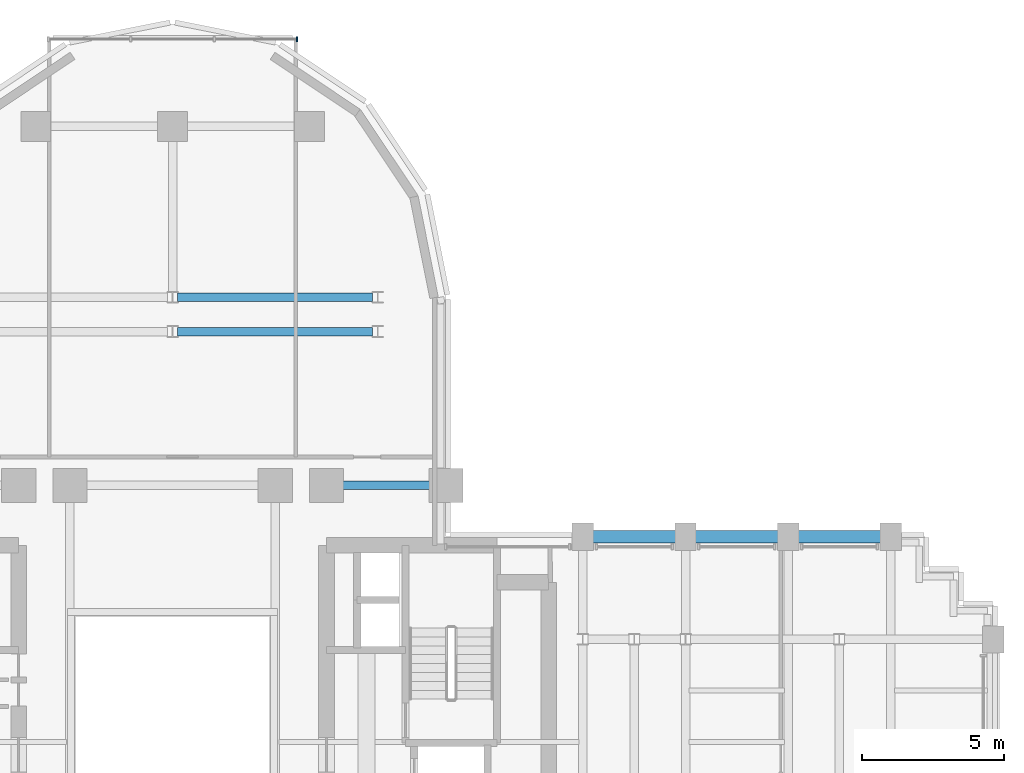
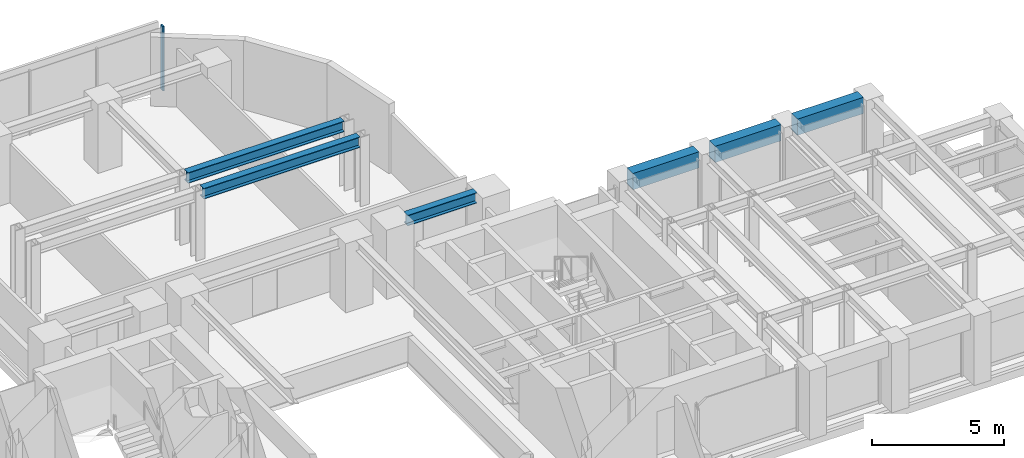
# One storey, part 8 of 16: 6 beams, 1 member, 1 element without a shape of its own.
"""IFC4 building model written with IfcOpenShell, lengths in metres."""

from ifc_helpers import new_model, si_unit, direction, frame, origin, origin_2d, place, context, subcontext, project, spatial, rectangle, i_section, extrude, source, transform, mapped, material, material_profile, profile_set, type_object, element, aggregate, save


model = new_model("IFC4")

# Units and contexts
model_context = context("Model", 3, precision=1e-05, world=origin(), true_north=direction((0.0, 1.0)))
body_context = subcontext(model_context, "Body", "Model", "MODEL_VIEW")
ifc_project = project(units=[si_unit("LENGTHUNIT", "METRE"), si_unit("AREAUNIT", "SQUARE_METRE"), si_unit("VOLUMEUNIT", "CUBIC_METRE"), si_unit("PLANEANGLEUNIT", "RADIAN"), si_unit("MASSUNIT", "GRAM", prefix="KILO")], contexts=[model_context])

# Site, building, storey
site_placement = place(None, origin())
site = spatial("IfcSite", under=ifc_project, at=site_placement, CompositionType="ELEMENT")
building_placement = place(site_placement, origin())
building = spatial("IfcBuilding", under=site, at=building_placement, Name="Keilestroom Media Tower", CompositionType="ELEMENT")
storey_placement = place(building_placement, frame((0.0, 0.0, 81.60009765625)))
storey = spatial("IfcBuildingStorey", under=building, at=storey_placement, Name="L21", CompositionType="ELEMENT", Elevation=81.60009765625)

# Beams
ifc_material_1 = material(Name="Precast concrete C40/50", Category="concrete")
ifc_material_profile_1 = material_profile(ifc_material_1, rectangle(XDim=0.449951171875, YDim=0.75, at=origin_2d()), Name="PC 450x750")
ifc_profile_set_1 = profile_set([ifc_material_profile_1], Name="Precast concrete C40/50")
beam_type_1 = type_object("IfcBeamType", Name="Perimeter-Spandrel-Beam-PC-450x750", PredefinedType="SPANDREL", material=ifc_profile_set_1)
shared_shape_1 = source(origin(), body_context, "Body", "SweptSolid", [
    extrude(rectangle(XDim=0.449951171875, YDim=0.75, at=origin_2d()), origin(), (0.0, 0.0, 1.0), 2.889892578125),
])
beam_1_placement = place(storey_placement, frame((21.955078125, 7.199951171875, 2.824951171875), z_axis=(1.0, 0.0, 0.0), x_axis=(0.0, 1.0, 0.0)))
element("IfcBeam", 1, at=beam_1_placement, inside=storey, type_object=beam_type_1, Name="L21 Beam SPB-1 BM-L21-EW-039", PredefinedType="SPANDREL", context=body_context, shape_type="MappedRepresentation", body=[
    mapped(shared_shape_1, transform((0.0, 0.0, 0.0), x_axis=(1.0, 0.0, 0.0), y_axis=(0.0, 1.0, 0.0), z_axis=(0.0, 0.0, 1.0), scale=1.0)),
])
shared_shape_2 = source(origin(), body_context, "Body", "SweptSolid", [
    extrude(rectangle(XDim=0.449951171875, YDim=0.75, at=origin_2d()), origin(), (0.0, 0.0, 1.0), 2.89013671875),
])
for number, where, z_axis, x_axis, name in (
    (2, (14.7548828125, 7.199951171875, 2.824951171875), (1.0, 0.0, 0.0), (0.0, 1.0, 0.0), "L21 Beam SPB-1 BM-L21-EW-037"),
    (3, (18.35498046875, 7.199951171875, 2.824951171875), (1.0, 0.0, 0.0), (0.0, 1.0, 0.0), "L21 Beam SPB-1 BM-L21-EW-038"),
):
    element("IfcBeam", number, at=place(storey_placement, frame(where, z_axis=z_axis, x_axis=x_axis)), inside=storey, type_object=beam_type_1, Name=name, PredefinedType="SPANDREL", context=body_context, shape_type="MappedRepresentation", body=[
        mapped(shared_shape_2, transform((0.0, 0.0, 0.0), x_axis=(1.0, 0.0, 0.0), y_axis=(0.0, 1.0, 0.0), z_axis=(0.0, 0.0, 1.0), scale=1.0)),
    ])
ifc_material_2 = material(Name="Steel S355", Category="steel")
ifc_material_profile_2 = material_profile(ifc_material_2, i_section(OverallWidth=0.300048828125, OverallDepth=0.489990234375, WebThickness=0.011962890625, FlangeThickness=0.02294921875, at=origin_2d()), Name="HEA 500")
ifc_profile_set_2 = profile_set([ifc_material_profile_2], Name="Steel S355")
beam_type_2 = type_object("IfcBeamType", Name="Primary-Structural-Girder-HEA-500", PredefinedType="BEAM", material=ifc_profile_set_2)
shared_shape_3 = source(origin(), body_context, "Body", "SweptSolid", [
    extrude(i_section(OverallWidth=0.300048828125, OverallDepth=0.489990234375, WebThickness=0.011962890625, FlangeThickness=0.02294921875, at=origin_2d()), origin(), (0.0, 0.0, 1.0), 6.836181640625),
])
for number, where, z_axis, x_axis, name in (
    (4, (0.181884765625, 14.39990234375, 2.954833984375), (1.0, 0.0, 0.0), (0.0, 1.0, 0.0), "L21 Beam BG-10 BM-L21-EW-046"),
    (5, (0.181884765625, 15.60009765625, 2.954833984375), (1.0, 0.0, 0.0), (0.0, 1.0, 0.0), "L21 Beam BG-10 BM-L21-EW-048"),
):
    element("IfcBeam", number, at=place(storey_placement, frame(where, z_axis=z_axis, x_axis=x_axis)), inside=storey, type_object=beam_type_2, Name=name, PredefinedType="BEAM", context=body_context, shape_type="MappedRepresentation", body=[
        mapped(shared_shape_3, transform((0.0, 0.0, 0.0), x_axis=(1.0, 0.0, 0.0), y_axis=(0.0, 1.0, 0.0), z_axis=(0.0, 0.0, 1.0), scale=1.0)),
    ])
shared_shape_4 = source(origin(), body_context, "Body", "SweptSolid", [
    extrude(i_section(OverallWidth=0.300048828125, OverallDepth=0.489990234375, WebThickness=0.011962890625, FlangeThickness=0.02294921875, at=origin_2d()), origin(), (0.0, 0.0, 1.0), 3.0400390625),
])
beam_2_placement = place(storey_placement, frame((5.97998046875, 9.0, 2.954833984375), z_axis=(1.0, 0.0, 0.0), x_axis=(0.0, 1.0, 0.0)))
element("IfcBeam", 6, at=beam_2_placement, inside=storey, type_object=beam_type_2, Name="L21 Beam BG-10 BM-L21-EW-044", PredefinedType="BEAM", context=body_context, shape_type="MappedRepresentation", body=[
    mapped(shared_shape_4, transform((0.0, 0.0, 0.0), x_axis=(1.0, 0.0, 0.0), y_axis=(0.0, 1.0, 0.0), z_axis=(0.0, 0.0, 1.0), scale=1.0)),
])

# Curtain wall, member
ifc_material_3 = material(Name="Anodised Aluminium Alloy", Category="aluminium")
curtain_wall_type = type_object("IfcCurtainWallType", Name="Unitised-Curtain-Wall-CW-6", PredefinedType="NOTDEFINED", material=ifc_material_3)
curtain_wall_placement = place(storey_placement, origin())
curtain_wall = element("IfcCurtainWall", 7, at=curtain_wall_placement, inside=storey, type_object=curtain_wall_type, Name="L21 Curtain Wall CW-6 CW-L21-LN-1", PredefinedType="NOTDEFINED")
ifc_material_profile_3 = material_profile(ifc_material_3, rectangle(XDim=0.06494140625, YDim=0.179931640625, at=origin_2d()), Name="ALU MULLION 65x180")
ifc_profile_set_3 = profile_set([ifc_material_profile_3], Name="Anodised Aluminium Alloy")
member_type = type_object("IfcMemberType", Name="Curtain-Wall-Mullion-CW-6", PredefinedType="MULLION", material=ifc_profile_set_3)
shared_shape_5 = source(origin(), body_context, "Body", "SweptSolid", [
    extrude(rectangle(XDim=0.06494140625, YDim=0.179931640625, at=origin_2d()), origin(), (0.0, 0.0, 1.0), 2.97998046875),
])
member_placement = place(storey_placement, frame((4.367431640625, 24.64990234375, 0.0), z_axis=(0.0, 0.0, 1.0), x_axis=(1.0, 0.0, 0.0)))
member = element("IfcMember", 8, at=member_placement, type_object=member_type, Name="CW-6 Mullion 03", PredefinedType="MULLION", context=body_context, shape_type="MappedRepresentation", body=[
    mapped(shared_shape_5, transform((0.0, 0.0, 0.0), x_axis=(1.0, 0.0, 0.0), y_axis=(0.0, 1.0, 0.0), z_axis=(0.0, 0.0, 1.0), scale=1.0)),
])
aggregate(curtain_wall, [member])

save(model, "model.ifc")
